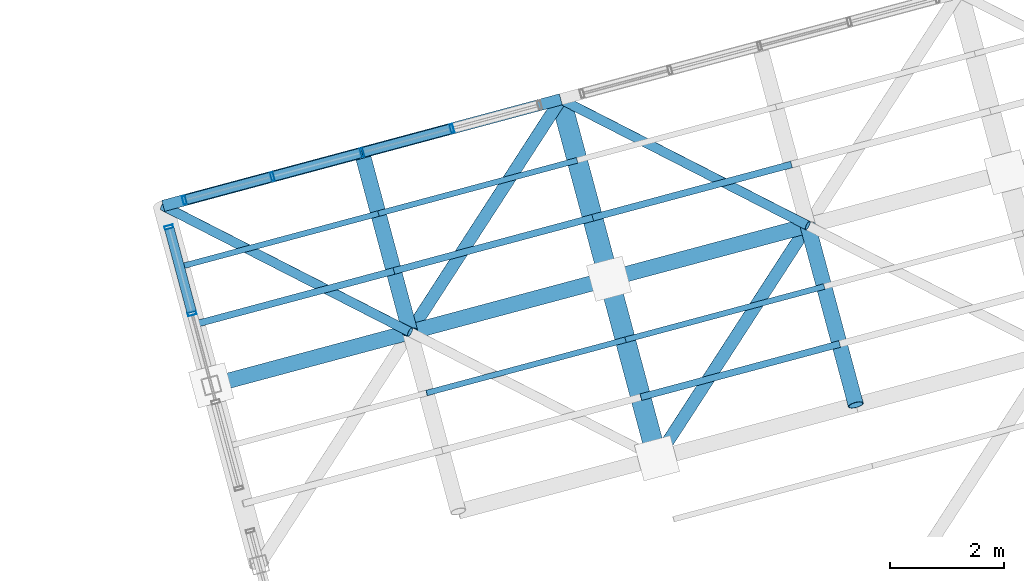
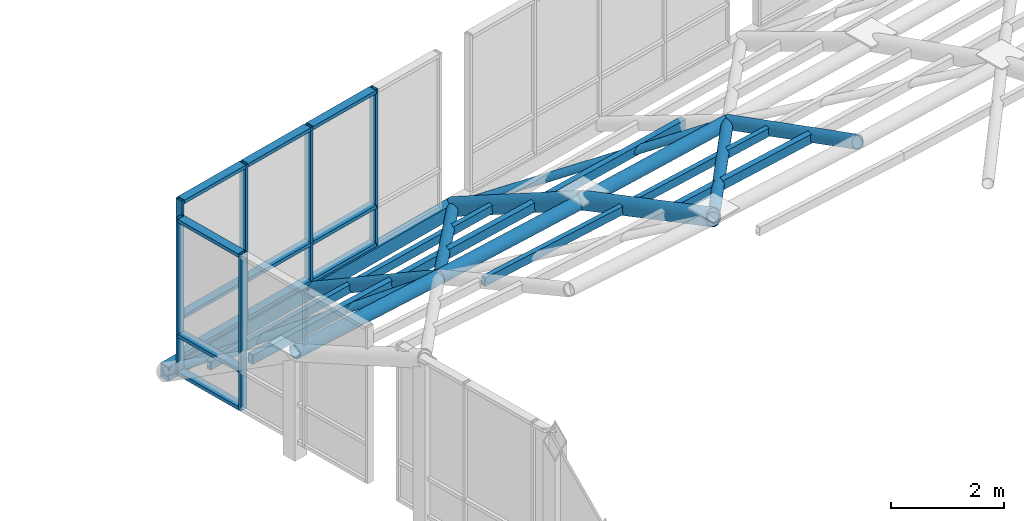
# One storey, part 10 of 29: 39 members, 2 elements without a shape of their own.
"""IFC4 building model written with IfcOpenShell, lengths in metres."""

from ifc_helpers import new_model, si_unit, direction, frame, origin, origin_2d, place, context, subcontext, project, spatial, hollow_rectangle, hollow_circle, extrude, material, layer, layer_set, material_profile, profile_set, type_object, element, aggregate, save


model = new_model("IFC4")

# Units and contexts
model_context = context("Model", 3, precision=1e-05, world=origin(), true_north=direction((0.0, 1.0)))
body_context = subcontext(model_context, "Body", "Model", "MODEL_VIEW")
ifc_project = project(units=[si_unit("LENGTHUNIT", "METRE"), si_unit("AREAUNIT", "SQUARE_METRE"), si_unit("VOLUMEUNIT", "CUBIC_METRE"), si_unit("PLANEANGLEUNIT", "RADIAN"), si_unit("MASSUNIT", "GRAM", prefix="KILO")], contexts=[model_context])

# Site, building, storey
site_placement = place(None, origin())
site = spatial("IfcSite", under=ifc_project, at=site_placement, CompositionType="ELEMENT")
building_placement = place(site_placement, origin())
building = spatial("IfcBuilding", under=site, at=building_placement, Name="Ventoquebrada Cableway Terminal", CompositionType="ELEMENT")
storey_placement = place(building_placement, frame((0.0, 0.0, 18.89990234375)))
storey = spatial("IfcBuildingStorey", under=building, at=storey_placement, Name="L04", CompositionType="ELEMENT", Elevation=18.89990234375)

# Members
ifc_material_1 = material(Name="Steel ASTM A500 Grade C", Category="steel")
ifc_material_profile_1 = material_profile(ifc_material_1, hollow_circle(Radius=0.109619140625, WallThickness=0.010009765625, at=origin_2d()), Name="CHS219.1X10")
ifc_profile_set_1 = profile_set([ifc_material_profile_1], Name="Steel ASTM A500 Grade C")
member_type_1 = type_object("IfcMemberType", Name="BRC-GS01", PredefinedType="BRACE", material=ifc_profile_set_1)
member_1_placement = place(storey_placement, frame((49.56689453125, 92.69091796875, 2.797119140625), z_axis=(0.506875613407, 0.78282401163, -0.360920599785), x_axis=(-0.839402648036, 0.543510068416, 0.0)))
element("IfcMember", 1, at=member_1_placement, inside=storey, type_object=member_type_1, Name="Saddle gridshell diagrid brace GBR-0238", PredefinedType="BRACE", context=body_context, shape_type="SweptSolid", body=[
    extrude(hollow_circle(Radius=0.109619140625, WallThickness=0.010009765625, at=origin_2d()), origin(), (0.0, 0.0, 1.0), 5.200439453125),
])
member_2_placement = place(storey_placement, frame((53.885986328125, 90.48291015625, 3.912109375), z_axis=(0.523852308936, 0.809042998195, -0.266511135777), x_axis=(-0.839402648036, 0.543510068416, 0.0)))
element("IfcMember", 2, at=member_2_placement, inside=storey, type_object=member_type_1, Name="Saddle gridshell diagrid brace GBR-0259", PredefinedType="BRACE", context=body_context, shape_type="SweptSolid", body=[
    extrude(hollow_circle(Radius=0.109619140625, WallThickness=0.010009765625, at=origin_2d()), origin(), (0.0, 0.0, 1.0), 5.031982421875),
])
ifc_material_profile_2 = material_profile(ifc_material_1, hollow_circle(Radius=0.084228515625, WallThickness=0.008056640625, at=origin_2d()), Name="CHS168.3X8")
ifc_profile_set_2 = profile_set([ifc_material_profile_2], Name="Steel ASTM A500 Grade C")
member_type_2 = type_object("IfcMemberType", Name="BRC-GS02", PredefinedType="BRACE", material=ifc_profile_set_2)
member_3_placement = place(storey_placement, frame((45.2490234375, 94.89794921875, 0.920166015625), z_axis=(0.830391292218, -0.424445170284, 0.360966202339), x_axis=(0.455130575279, 0.890424707343, 0.0)))
element("IfcMember", 3, at=member_3_placement, inside=storey, type_object=member_type_2, Name="Saddle gridshell diagrid brace GBR-0214", PredefinedType="BRACE", context=body_context, shape_type="SweptSolid", body=[
    extrude(hollow_circle(Radius=0.084228515625, WallThickness=0.008056640625, at=origin_2d()), origin(), (0.0, 0.0, 1.0), 5.19970703125),
])
member_4_placement = place(storey_placement, frame((52.202880859375, 96.761962890625, 0.920166015625), z_axis=(0.842916054534, -0.430915877972, 0.322186329815), x_axis=(0.455188209039, 0.890395246142, 0.0)))
element("IfcMember", 4, at=member_4_placement, inside=storey, type_object=member_type_2, Name="Saddle gridshell diagrid brace GBR-0262", PredefinedType="BRACE", context=body_context, shape_type="SweptSolid", body=[
    extrude(hollow_circle(Radius=0.084228515625, WallThickness=0.008056640625, at=origin_2d()), origin(), (0.0, 0.0, 1.0), 5.1240234375),
])
ifc_material_profile_3 = material_profile(ifc_material_1, hollow_circle(Radius=0.177734375, WallThickness=0.012451171875, at=origin_2d()), Name="CHS355.6X12.5")
ifc_profile_set_3 = profile_set([ifc_material_profile_3], Name="Steel ASTM A500 Grade C")
member_type_3 = type_object("IfcMemberType", Name="CHD-GS01", PredefinedType="CHORD", material=ifc_profile_set_3)
member_5_placement = place(storey_placement, frame((53.885986328125, 90.48291015625, 3.912109375), z_axis=(-0.24155923497, 0.901867889749, -0.358166784391), x_axis=(-0.965951403156, -0.258723572063, 0.0)))
element("IfcMember", 5, at=member_5_placement, inside=storey, type_object=member_type_3, Name="Saddle gridshell arch chord GCH-0037", PredefinedType="CHORD", context=body_context, shape_type="SweptSolid", body=[
    extrude(hollow_circle(Radius=0.177734375, WallThickness=0.012451171875, at=origin_2d()), origin(), (0.0, 0.0, 1.0), 3.48193359375),
])
member_6_placement = place(storey_placement, frame((53.044921875, 93.623046875, 2.6650390625), z_axis=(-0.228276649316, 0.850957634171, -0.473033694596), x_axis=(-0.965851091058, -0.25909779988, 0.0)))
element("IfcMember", 6, at=member_6_placement, inside=storey, type_object=member_type_3, Name="Saddle gridshell arch chord GCH-0038", PredefinedType="CHORD", context=body_context, shape_type="SweptSolid", body=[
    extrude(hollow_circle(Radius=0.177734375, WallThickness=0.012451171875, at=origin_2d()), origin(), (0.0, 0.0, 1.0), 3.688720703125),
])
ifc_material_profile_4 = material_profile(ifc_material_1, hollow_circle(Radius=0.136474609375, WallThickness=0.012451171875, at=origin_2d()), Name="CHS273.0X12.5")
ifc_profile_set_4 = profile_set([ifc_material_profile_4], Name="Steel ASTM A500 Grade C")
member_type_4 = type_object("IfcMemberType", Name="CHD-GS02", PredefinedType="CHORD", material=ifc_profile_set_4)
member_7_placement = place(storey_placement, frame((49.56689453125, 92.69091796875, 2.797119140625), z_axis=(-0.224045488888, 0.836462513392, -0.500134064626), x_axis=(-0.965950063137, -0.258728575007, 0.0)))
element("IfcMember", 7, at=member_7_placement, inside=storey, type_object=member_type_4, Name="Saddle gridshell arch chord GCH-0030", PredefinedType="CHORD", context=body_context, shape_type="SweptSolid", body=[
    extrude(hollow_circle(Radius=0.136474609375, WallThickness=0.012451171875, at=origin_2d()), origin(), (0.0, 0.0, 1.0), 3.7529296875),
])
member_8_placement = place(storey_placement, frame((57.363037109375, 91.4150390625, 3.75), z_axis=(-0.243300598354, 0.908016195366, -0.341044583295), x_axis=(-0.965926253902, -0.258817449225, 0.0)))
element("IfcMember", 8, at=member_8_placement, inside=storey, type_object=member_type_4, Name="Saddle gridshell arch chord GCH-0045", PredefinedType="CHORD", context=body_context, shape_type="SweptSolid", body=[
    extrude(hollow_circle(Radius=0.136474609375, WallThickness=0.012451171875, at=origin_2d()), origin(), (0.0, 0.0, 1.0), 3.456787109375),
])
member_9_placement = place(storey_placement, frame((46.090087890625, 91.759033203125, 2.967041015625), z_axis=(0.964832114916, 0.258602919924, -0.047154213326), x_axis=(-0.258890904628, 0.965906568722, 0.0)))
element("IfcMember", 9, at=member_9_placement, inside=storey, type_object=member_type_4, Name="Saddle gridshell longitudinal chord GLG-0173", PredefinedType="CHORD", context=body_context, shape_type="SweptSolid", body=[
    extrude(hollow_circle(Radius=0.136474609375, WallThickness=0.012451171875, at=origin_2d()), origin(), (0.0, 0.0, 1.0), 3.603515625),
])
member_10_placement = place(storey_placement, frame((49.56689453125, 92.69091796875, 2.797119140625), z_axis=(0.965263172552, 0.258695408733, -0.036656421195), x_axis=(-0.258869387716, 0.96591233562, 0.0)))
element("IfcMember", 10, at=member_10_placement, inside=storey, type_object=member_type_4, Name="Saddle gridshell longitudinal chord GLG-0174", PredefinedType="CHORD", context=body_context, shape_type="SweptSolid", body=[
    extrude(hollow_circle(Radius=0.136474609375, WallThickness=0.012451171875, at=origin_2d()), origin(), (0.0, 0.0, 1.0), 3.603271484375),
])
member_11_placement = place(storey_placement, frame((53.044921875, 93.623046875, 2.6650390625), z_axis=(0.965649742818, 0.258532682865, -0.026104139235), x_axis=(-0.258620813366, 0.965978920523, 0.0)))
element("IfcMember", 11, at=member_11_placement, inside=storey, type_object=member_type_4, Name="Saddle gridshell longitudinal chord GLG-0175", PredefinedType="CHORD", context=body_context, shape_type="SweptSolid", body=[
    extrude(hollow_circle(Radius=0.136474609375, WallThickness=0.012451171875, at=origin_2d()), origin(), (0.0, 0.0, 1.0), 3.600830078125),
])
ifc_material_profile_5 = material_profile(ifc_material_1, hollow_rectangle(XDim=0.199951171875, YDim=0.300048828125, WallThickness=0.012451171875, at=origin_2d()), Name="RHS300X200X12.5")
ifc_profile_set_5 = profile_set([ifc_material_profile_5], Name="Steel ASTM A500 Grade C")
member_type_5 = type_object("IfcMemberType", Name="CHD-GS03", PredefinedType="CHORD", material=ifc_profile_set_5)
member_12_placement = place(storey_placement, frame((45.2490234375, 94.89794921875, 0.920166015625), z_axis=(0.965894153822, 0.258937219442, 0.0), x_axis=(-0.258937219442, 0.965894153822, 0.0)))
element("IfcMember", 12, at=member_12_placement, inside=storey, type_object=member_type_5, Name="Saddle gridshell longitudinal chord GLG-0183", PredefinedType="CHORD", context=body_context, shape_type="SweptSolid", body=[
    extrude(hollow_rectangle(XDim=0.199951171875, YDim=0.300048828125, WallThickness=0.012451171875, at=origin_2d()), origin(), (0.0, 0.0, 1.0), 3.599853515625),
])
member_13_placement = place(storey_placement, frame((48.72607421875, 95.830078125, 0.920166015625), z_axis=(0.965906568722, 0.258890904628, 0.0), x_axis=(-0.258890904628, 0.965906568722, 0.0)))
element("IfcMember", 13, at=member_13_placement, inside=storey, type_object=member_type_5, Name="Saddle gridshell longitudinal chord GLG-0184", PredefinedType="CHORD", context=body_context, shape_type="SweptSolid", body=[
    extrude(hollow_rectangle(XDim=0.199951171875, YDim=0.300048828125, WallThickness=0.012451171875, at=origin_2d()), origin(), (0.0, 0.0, 1.0), 3.599609375),
])

# Curtain wall, members
ifc_material_2 = material(Name="Anodized thermally-broken aluminium", Category="aluminium")
ifc_layer_1 = layer(ifc_material_2, 0.159912109375)
ifc_layer_set_1 = layer_set([ifc_layer_1], Name="Anodized thermally-broken aluminium")
curtain_wall_type_1 = type_object("IfcCurtainWallType", Name="CW-T45", PredefinedType="USERDEFINED", material=ifc_layer_set_1)
curtain_wall_1_placement = place(storey_placement, origin())
curtain_wall_1 = element("IfcCurtainWall", 14, at=curtain_wall_1_placement, inside=storey, type_object=curtain_wall_type_1, Name="Unitised glazed curtain wall CW-138", ObjectType="UNITISED CURTAIN WALL", PredefinedType="USERDEFINED")
ifc_material_profile_6 = material_profile(ifc_material_2, hollow_rectangle(XDim=0.06005859375, YDim=0.14990234375, WallThickness=0.00390625, at=origin_2d()), Name="CW-MUL-60X150")
ifc_profile_set_6 = profile_set([ifc_material_profile_6], Name="Anodized thermally-broken aluminium")
member_type_6 = type_object("IfcMemberType", Name="CWM-03", PredefinedType="MULLION", material=ifc_profile_set_6)
member_14_placement = place(storey_placement, frame((50.2958984375, 96.2509765625, 1.087158203125), z_axis=(0.0, 0.0, 1.0), x_axis=(-0.96593486019, -0.258785327773, 0.0)))
member_14 = element("IfcMember", 15, at=member_14_placement, type_object=member_type_6, Name="Curtain wall mullion FML-0672", PredefinedType="MULLION", context=body_context, shape_type="SweptSolid", body=[
    extrude(hollow_rectangle(XDim=0.06005859375, YDim=0.14990234375, WallThickness=0.00390625, at=origin_2d()), origin(), (0.0, 0.0, 1.0), 3.373046875),
])
member_15_placement = place(storey_placement, frame((48.72607421875, 95.830078125, 1.087158203125), z_axis=(0.0, 0.0, 1.0), x_axis=(-0.96593486019, -0.258785327773, 0.0)))
member_15 = element("IfcMember", 16, at=member_15_placement, type_object=member_type_6, Name="Curtain wall mullion FML-0673", PredefinedType="MULLION", context=body_context, shape_type="SweptSolid", body=[
    extrude(hollow_rectangle(XDim=0.06005859375, YDim=0.14990234375, WallThickness=0.00390625, at=origin_2d()), origin(), (0.0, 0.0, 1.0), 3.373046875),
])
member_16_placement = place(storey_placement, frame((47.156982421875, 95.409912109375, 1.087158203125), z_axis=(0.0, 0.0, 1.0), x_axis=(-0.96593486019, -0.258785327773, 0.0)))
member_16 = element("IfcMember", 17, at=member_16_placement, type_object=member_type_6, Name="Curtain wall mullion FML-0674", PredefinedType="MULLION", context=body_context, shape_type="SweptSolid", body=[
    extrude(hollow_rectangle(XDim=0.06005859375, YDim=0.14990234375, WallThickness=0.00390625, at=origin_2d()), origin(), (0.0, 0.0, 1.0), 3.373046875),
])
member_17_placement = place(storey_placement, frame((45.62109375, 94.998046875, 1.087158203125), z_axis=(0.0, 0.0, 1.0), x_axis=(-0.96593486019, -0.258785327773, 0.0)))
member_17 = element("IfcMember", 18, at=member_17_placement, type_object=member_type_6, Name="Curtain wall mullion FML-0675", PredefinedType="MULLION", context=body_context, shape_type="SweptSolid", body=[
    extrude(hollow_rectangle(XDim=0.06005859375, YDim=0.14990234375, WallThickness=0.00390625, at=origin_2d()), origin(), (0.0, 0.0, 1.0), 3.373046875),
])

ifc_layer_2 = layer(ifc_material_2, 0.159912109375)
ifc_layer_set_2 = layer_set([ifc_layer_2], Name="Anodized thermally-broken aluminium")
curtain_wall_type_2 = type_object("IfcCurtainWallType", Name="CW-T46", PredefinedType="USERDEFINED", material=ifc_layer_set_2)
curtain_wall_2_placement = place(storey_placement, origin())
curtain_wall_2 = element("IfcCurtainWall", 19, at=curtain_wall_2_placement, inside=storey, type_object=curtain_wall_type_2, Name="Unitised glazed curtain wall CW-146", ObjectType="UNITISED CURTAIN WALL", PredefinedType="USERDEFINED")
member_18_placement = place(storey_placement, frame((45.347900390625, 94.52587890625, 1.087158203125), z_axis=(0.0, 0.0, 1.0), x_axis=(0.258970769183, -0.965885159172, 0.0)))
member_18 = element("IfcMember", 20, at=member_18_placement, type_object=member_type_6, Name="Curtain wall mullion FML-0710", PredefinedType="MULLION", context=body_context, shape_type="SweptSolid", body=[
    extrude(hollow_rectangle(XDim=0.06005859375, YDim=0.14990234375, WallThickness=0.00390625, at=origin_2d()), origin(), (0.0, 0.0, 1.0), 3.373046875),
])
member_19_placement = place(storey_placement, frame((45.7529296875, 93.014892578125, 1.087158203125), z_axis=(0.0, 0.0, 1.0), x_axis=(0.258970769183, -0.965885159172, 0.0)))
member_19 = element("IfcMember", 21, at=member_19_placement, type_object=member_type_6, Name="Curtain wall mullion FML-0711", PredefinedType="MULLION", context=body_context, shape_type="SweptSolid", body=[
    extrude(hollow_rectangle(XDim=0.06005859375, YDim=0.14990234375, WallThickness=0.00390625, at=origin_2d()), origin(), (0.0, 0.0, 1.0), 3.373046875),
])

# Member
ifc_material_profile_7 = material_profile(ifc_material_2, hollow_rectangle(XDim=0.074951171875, YDim=0.169921875, WallThickness=0.00439453125, at=origin_2d()), Name="CW-TRN-75X170")
ifc_profile_set_7 = profile_set([ifc_material_profile_7], Name="Anodized thermally-broken aluminium")
member_type_7 = type_object("IfcMemberType", Name="CWT-03", PredefinedType="USERDEFINED", material=ifc_profile_set_7)
member_20_placement = place(storey_placement, frame((50.27099609375, 96.243896484375, 1.130126953125), z_axis=(-0.965860816082, -0.259061544731, 0.0), x_axis=(0.0, 0.0, 1.0)))
member_20 = element("IfcMember", 22, at=member_20_placement, type_object=member_type_7, Name="Curtain wall transom FTR-1983", ObjectType="TRANSOM", PredefinedType="USERDEFINED", context=body_context, shape_type="SweptSolid", body=[
    extrude(hollow_rectangle(XDim=0.074951171875, YDim=0.169921875, WallThickness=0.00439453125, at=origin_2d()), origin(), (0.0, 0.0, 1.0), 1.57470703125),
])

member_21_placement = place(storey_placement, frame((50.27099609375, 96.243896484375, 1.945068359375), z_axis=(-0.965860816082, -0.259061544731, 0.0), x_axis=(0.0, 0.0, 1.0)))
member_21 = element("IfcMember", 23, at=member_21_placement, type_object=member_type_7, Name="Curtain wall transom FTR-1984", ObjectType="TRANSOM", PredefinedType="USERDEFINED", context=body_context, shape_type="SweptSolid", body=[
    extrude(hollow_rectangle(XDim=0.074951171875, YDim=0.169921875, WallThickness=0.00439453125, at=origin_2d()), origin(), (0.0, 0.0, 1.0), 1.57470703125),
])

member_22_placement = place(storey_placement, frame((50.27099609375, 96.243896484375, 4.420166015625), z_axis=(-0.965860816082, -0.259061544731, 0.0), x_axis=(0.0, 0.0, 1.0)))
member_22 = element("IfcMember", 24, at=member_22_placement, type_object=member_type_7, Name="Curtain wall transom FTR-1985", ObjectType="TRANSOM", PredefinedType="USERDEFINED", context=body_context, shape_type="SweptSolid", body=[
    extrude(hollow_rectangle(XDim=0.074951171875, YDim=0.169921875, WallThickness=0.00439453125, at=origin_2d()), origin(), (0.0, 0.0, 1.0), 1.57470703125),
])

member_23_placement = place(storey_placement, frame((48.701904296875, 95.823974609375, 1.130126953125), z_axis=(-0.965860816082, -0.259061544731, 0.0), x_axis=(0.0, 0.0, 1.0)))
member_23 = element("IfcMember", 25, at=member_23_placement, type_object=member_type_7, Name="Curtain wall transom FTR-1986", ObjectType="TRANSOM", PredefinedType="USERDEFINED", context=body_context, shape_type="SweptSolid", body=[
    extrude(hollow_rectangle(XDim=0.074951171875, YDim=0.169921875, WallThickness=0.00439453125, at=origin_2d()), origin(), (0.0, 0.0, 1.0), 1.57470703125),
])

member_24_placement = place(storey_placement, frame((48.701904296875, 95.823974609375, 1.945068359375), z_axis=(-0.965860816082, -0.259061544731, 0.0), x_axis=(0.0, 0.0, 1.0)))
member_24 = element("IfcMember", 26, at=member_24_placement, type_object=member_type_7, Name="Curtain wall transom FTR-1987", ObjectType="TRANSOM", PredefinedType="USERDEFINED", context=body_context, shape_type="SweptSolid", body=[
    extrude(hollow_rectangle(XDim=0.074951171875, YDim=0.169921875, WallThickness=0.00439453125, at=origin_2d()), origin(), (0.0, 0.0, 1.0), 1.57470703125),
])

member_25_placement = place(storey_placement, frame((48.701904296875, 95.823974609375, 4.420166015625), z_axis=(-0.965860816082, -0.259061544731, 0.0), x_axis=(0.0, 0.0, 1.0)))
member_25 = element("IfcMember", 27, at=member_25_placement, type_object=member_type_7, Name="Curtain wall transom FTR-1988", ObjectType="TRANSOM", PredefinedType="USERDEFINED", context=body_context, shape_type="SweptSolid", body=[
    extrude(hollow_rectangle(XDim=0.074951171875, YDim=0.169921875, WallThickness=0.00439453125, at=origin_2d()), origin(), (0.0, 0.0, 1.0), 1.57470703125),
])

member_26_placement = place(storey_placement, frame((47.132080078125, 95.403076171875, 1.130126953125), z_axis=(-0.96596857403, -0.25865945563, 0.0), x_axis=(0.0, 0.0, 1.0)))
member_26 = element("IfcMember", 28, at=member_26_placement, type_object=member_type_7, Name="Curtain wall transom FTR-1989", ObjectType="TRANSOM", PredefinedType="USERDEFINED", context=body_context, shape_type="SweptSolid", body=[
    extrude(hollow_rectangle(XDim=0.074951171875, YDim=0.169921875, WallThickness=0.00439453125, at=origin_2d()), origin(), (0.0, 0.0, 1.0), 1.53955078125),
])

member_27_placement = place(storey_placement, frame((47.132080078125, 95.403076171875, 1.945068359375), z_axis=(-0.96596857403, -0.25865945563, 0.0), x_axis=(0.0, 0.0, 1.0)))
member_27 = element("IfcMember", 29, at=member_27_placement, type_object=member_type_7, Name="Curtain wall transom FTR-1990", ObjectType="TRANSOM", PredefinedType="USERDEFINED", context=body_context, shape_type="SweptSolid", body=[
    extrude(hollow_rectangle(XDim=0.074951171875, YDim=0.169921875, WallThickness=0.00439453125, at=origin_2d()), origin(), (0.0, 0.0, 1.0), 1.53955078125),
])

member_28_placement = place(storey_placement, frame((47.132080078125, 95.403076171875, 4.420166015625), z_axis=(-0.96596857403, -0.25865945563, 0.0), x_axis=(0.0, 0.0, 1.0)))
member_28 = element("IfcMember", 30, at=member_28_placement, type_object=member_type_7, Name="Curtain wall transom FTR-1991", ObjectType="TRANSOM", PredefinedType="USERDEFINED", context=body_context, shape_type="SweptSolid", body=[
    extrude(hollow_rectangle(XDim=0.074951171875, YDim=0.169921875, WallThickness=0.00439453125, at=origin_2d()), origin(), (0.0, 0.0, 1.0), 1.53955078125),
])

aggregate(curtain_wall_1, [member_14, member_15, member_16, member_17, member_20, member_21, member_22, member_23, member_24, member_25, member_26, member_27, member_28])

member_29_placement = place(storey_placement, frame((45.35498046875, 94.501953125, 1.130126953125), z_axis=(0.258886490244, -0.965907751894, 0.0), x_axis=(0.0, 0.0, 1.0)))
member_29 = element("IfcMember", 31, at=member_29_placement, type_object=member_type_7, Name="Curtain wall transom FTR-2073", ObjectType="TRANSOM", PredefinedType="USERDEFINED", context=body_context, shape_type="SweptSolid", body=[
    extrude(hollow_rectangle(XDim=0.074951171875, YDim=0.169921875, WallThickness=0.00439453125, at=origin_2d()), origin(), (0.0, 0.0, 1.0), 1.514404296875),
])

member_30_placement = place(storey_placement, frame((45.35498046875, 94.501953125, 1.945068359375), z_axis=(0.258886490244, -0.965907751894, 0.0), x_axis=(0.0, 0.0, 1.0)))
member_30 = element("IfcMember", 32, at=member_30_placement, type_object=member_type_7, Name="Curtain wall transom FTR-2074", ObjectType="TRANSOM", PredefinedType="USERDEFINED", context=body_context, shape_type="SweptSolid", body=[
    extrude(hollow_rectangle(XDim=0.074951171875, YDim=0.169921875, WallThickness=0.00439453125, at=origin_2d()), origin(), (0.0, 0.0, 1.0), 1.514404296875),
])

member_31_placement = place(storey_placement, frame((45.35498046875, 94.501953125, 4.420166015625), z_axis=(0.258886490244, -0.965907751894, 0.0), x_axis=(0.0, 0.0, 1.0)))
member_31 = element("IfcMember", 33, at=member_31_placement, type_object=member_type_7, Name="Curtain wall transom FTR-2075", ObjectType="TRANSOM", PredefinedType="USERDEFINED", context=body_context, shape_type="SweptSolid", body=[
    extrude(hollow_rectangle(XDim=0.074951171875, YDim=0.169921875, WallThickness=0.00439453125, at=origin_2d()), origin(), (0.0, 0.0, 1.0), 1.514404296875),
])

aggregate(curtain_wall_2, [member_18, member_19, member_29, member_30, member_31])

# Members
ifc_material_profile_8 = material_profile(ifc_material_1, hollow_rectangle(XDim=0.1201171875, YDim=0.199951171875, WallThickness=0.008056640625, at=origin_2d()), Name="RHS200X120X8")
ifc_profile_set_8 = profile_set([ifc_material_profile_8], Name="Steel ASTM A500 Grade C")
member_type_8 = type_object("IfcMemberType", Name="PUR-RF01", PredefinedType="PURLIN", material=ifc_profile_set_8)
member_32_placement = place(storey_placement, frame((45.803955078125, 92.825927734375, 2.27099609375), z_axis=(0.965428531829, 0.258812395346, -0.031046641453), x_axis=(-0.258937219442, 0.965894153822, 0.0)))
element("IfcMember", 34, at=member_32_placement, inside=storey, type_object=member_type_8, Name="Gridshell secondary roof purlin GPR-0215", PredefinedType="PURLIN", context=body_context, shape_type="SweptSolid", body=[
    extrude(hollow_rectangle(XDim=0.1201171875, YDim=0.199951171875, WallThickness=0.008056640625, at=origin_2d()), origin(), (0.0, 0.0, 1.0), 3.6015625),
])
member_33_placement = place(storey_placement, frame((49.281005859375, 93.758056640625, 2.1591796875), z_axis=(0.965646431256, 0.258730340313, -0.024198776917), x_axis=(-0.25880612736, 0.965929287495, 0.0)))
element("IfcMember", 35, at=member_33_placement, inside=storey, type_object=member_type_8, Name="Gridshell secondary roof purlin GPR-0239", PredefinedType="PURLIN", context=body_context, shape_type="SweptSolid", body=[
    extrude(hollow_rectangle(XDim=0.1201171875, YDim=0.199951171875, WallThickness=0.008056640625, at=origin_2d()), origin(), (0.0, 0.0, 1.0), 3.601806640625),
])
member_34_placement = place(storey_placement, frame((53.60009765625, 91.551025390625, 3.488037109375), z_axis=(0.965255720154, 0.258445338175, -0.038566849573), x_axis=(-0.258637758898, 0.965974383549, 0.0)))
element("IfcMember", 36, at=member_34_placement, inside=storey, type_object=member_type_8, Name="Gridshell secondary roof purlin GPR-0260", PredefinedType="PURLIN", context=body_context, shape_type="SweptSolid", body=[
    extrude(hollow_rectangle(XDim=0.1201171875, YDim=0.199951171875, WallThickness=0.008056640625, at=origin_2d()), origin(), (0.0, 0.0, 1.0), 3.60205078125),
])
member_35_placement = place(storey_placement, frame((52.759033203125, 94.68994140625, 2.072021484375), z_axis=(0.965750873205, 0.258898808727, -0.017223755217), x_axis=(-0.258937219442, 0.965894153822, 0.0)))
element("IfcMember", 37, at=member_35_placement, inside=storey, type_object=member_type_8, Name="Gridshell secondary roof purlin GPR-0263", PredefinedType="PURLIN", context=body_context, shape_type="SweptSolid", body=[
    extrude(hollow_rectangle(XDim=0.1201171875, YDim=0.199951171875, WallThickness=0.008056640625, at=origin_2d()), origin(), (0.0, 0.0, 1.0), 3.600341796875),
])
ifc_material_profile_9 = material_profile(ifc_material_1, hollow_rectangle(XDim=0.10009765625, YDim=0.179931640625, WallThickness=0.008056640625, at=origin_2d()), Name="RHS180X100X8")
ifc_profile_set_9 = profile_set([ifc_material_profile_9], Name="Steel ASTM A500 Grade C")
member_type_9 = type_object("IfcMemberType", Name="PUR-RF02", PredefinedType="PURLIN", material=ifc_profile_set_9)
member_36_placement = place(storey_placement, frame((45.534912109375, 93.8310546875, 1.6162109375), z_axis=(0.965785306167, 0.258840227049, -0.016139369672), x_axis=(-0.258873944891, 0.965911114263, 0.0)))
element("IfcMember", 38, at=member_36_placement, inside=storey, type_object=member_type_9, Name="Gridshell secondary roof purlin GPR-0216", PredefinedType="PURLIN", context=body_context, shape_type="SweptSolid", body=[
    extrude(hollow_rectangle(XDim=0.10009765625, YDim=0.179931640625, WallThickness=0.008056640625, at=origin_2d()), origin(), (0.0, 0.0, 1.0), 3.600341796875),
])
member_37_placement = place(storey_placement, frame((49.85302734375, 91.6240234375, 3.253173828125), z_axis=(0.964995736001, 0.258285044319, -0.045519944868), x_axis=(-0.258553052639, 0.965997059504, 0.0)))
element("IfcMember", 39, at=member_37_placement, inside=storey, type_object=member_type_9, Name="Gridshell secondary roof purlin GPR-0237", PredefinedType="PURLIN", context=body_context, shape_type="SweptSolid", body=[
    extrude(hollow_rectangle(XDim=0.10009765625, YDim=0.179931640625, WallThickness=0.008056640625, at=origin_2d()), origin(), (0.0, 0.0, 1.0), 3.604248046875),
])
member_38_placement = place(storey_placement, frame((49.011962890625, 94.762939453125, 1.55810546875), z_axis=(0.965818956637, 0.258917060556, -0.012477930629), x_axis=(-0.258937219442, 0.965894153822, 0.0)))
element("IfcMember", 40, at=member_38_placement, inside=storey, type_object=member_type_9, Name="Gridshell secondary roof purlin GPR-0240", PredefinedType="PURLIN", context=body_context, shape_type="SweptSolid", body=[
    extrude(hollow_rectangle(XDim=0.10009765625, YDim=0.179931640625, WallThickness=0.008056640625, at=origin_2d()), origin(), (0.0, 0.0, 1.0), 3.60009765625),
])
member_39_placement = place(storey_placement, frame((53.3310546875, 92.554931640625, 3.089111328125), z_axis=(0.9653848885, 0.258800695429, -0.032468709563), x_axis=(-0.258937219442, 0.965894153822, 0.0)))
element("IfcMember", 41, at=member_39_placement, inside=storey, type_object=member_type_9, Name="Gridshell secondary roof purlin GPR-0261", PredefinedType="PURLIN", context=body_context, shape_type="SweptSolid", body=[
    extrude(hollow_rectangle(XDim=0.10009765625, YDim=0.179931640625, WallThickness=0.008056640625, at=origin_2d()), origin(), (0.0, 0.0, 1.0), 3.601806640625),
])

save(model, "model.ifc")
